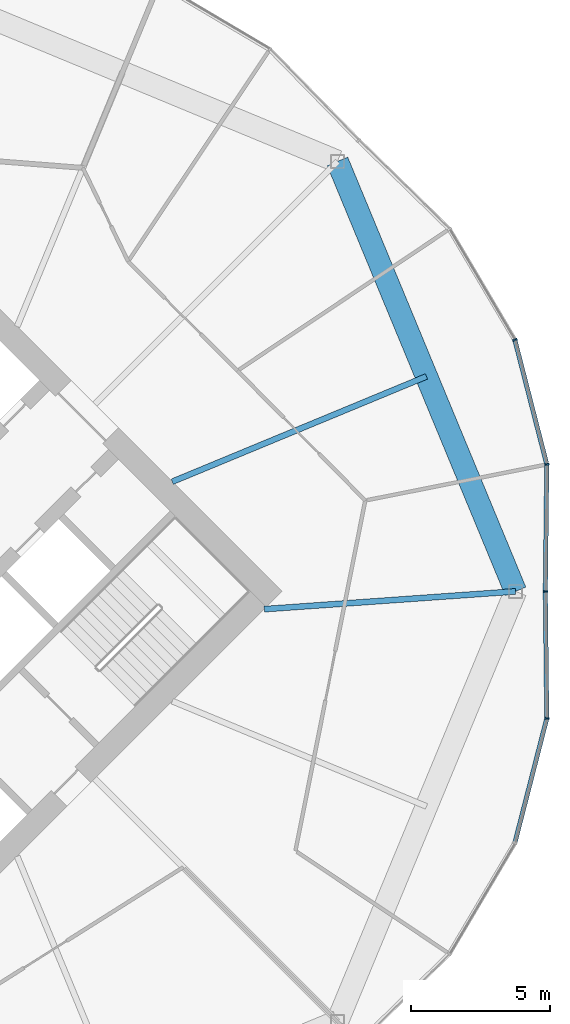
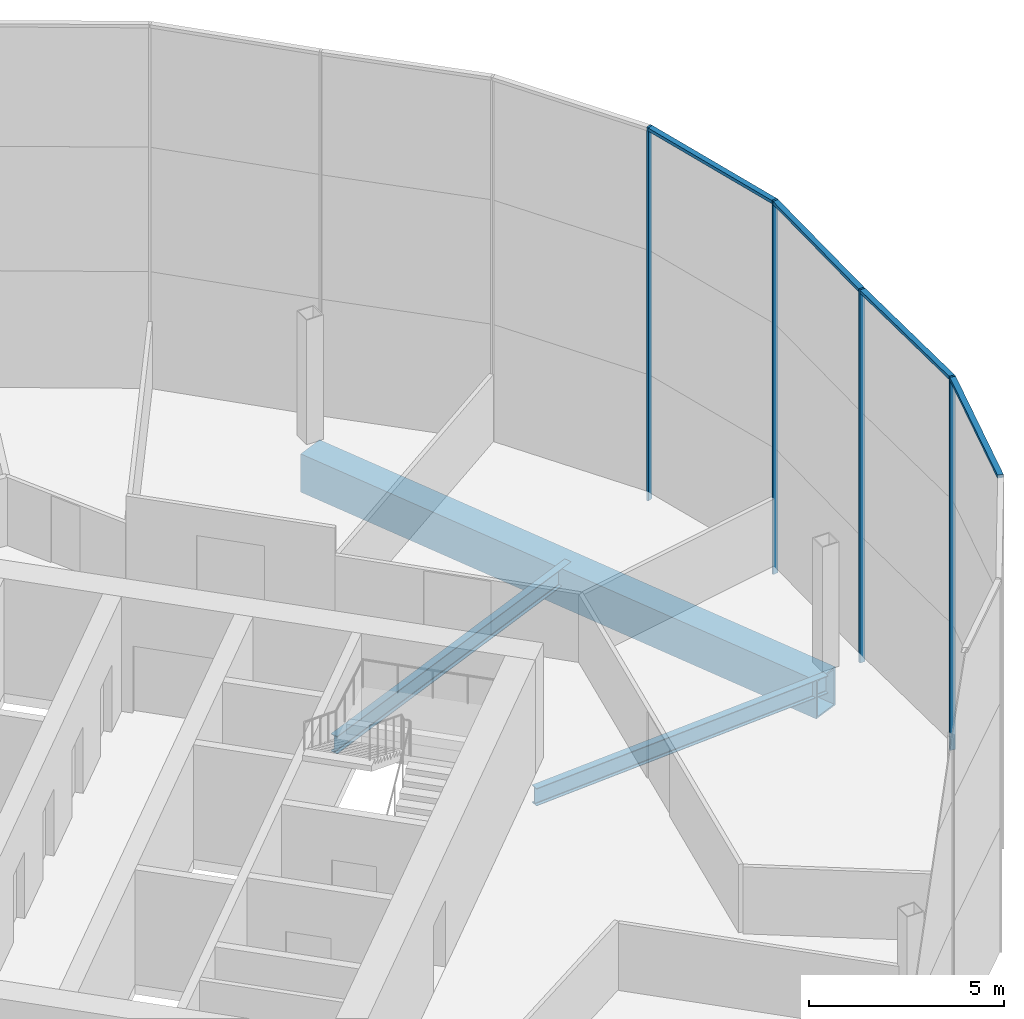
# One storey, part 13 of 25: 8 members, 3 beams, 2 elements without a shape of their own.
"""IFC4 building model written with IfcOpenShell, lengths in metres."""

import ifcopenshell
import ifcopenshell.guid

model = None  # the IFC model being written
_history = None  # IfcOwnerHistory: only IFC2X3 demands one
_inside = {}  # id of a spatial element -> (the spatial element, [elements in it])
_under = {}  # id of a project, library or spatial element -> (it, [spatial elements below it])
_declared = {}  # id of a project -> (the project, [libraries it declares])
_typed = {}  # id of a type object -> (the type object, [elements of that type])
_made_of = {}  # id of a material, layer set ... -> (it, [elements and type objects made of it])


def new_model(schema):
    """Start an empty IFC model of exactly this schema.

    Asked for "IFC4X3", IfcOpenShell would pick the latest addendum, in which some entities
    have other attributes; the version numbers below select the first issue.
    IFC2X3 requires an IfcOwnerHistory on every rooted entity: one is made here for all.
    """
    global model, _history
    if schema == "IFC4X3":
        model = ifcopenshell.file(schema_version=(4, 3, 0, 0))
    else:
        model = ifcopenshell.file(schema=schema)
    _inside.clear()
    _under.clear()
    _declared.clear()
    _typed.clear()
    _made_of.clear()
    _history = None
    if model.schema == "IFC2X3":
        org = make("IfcOrganization", Name="unknown")
        user = make(
            "IfcPersonAndOrganization",
            ThePerson=make("IfcPerson", FamilyName="unknown"),
            TheOrganization=org,
        )
        app = make(
            "IfcApplication",
            ApplicationDeveloper=org,
            Version="unknown",
            ApplicationFullName="unknown",
            ApplicationIdentifier="unknown",
        )
        _history = make(
            "IfcOwnerHistory",
            OwningUser=user,
            OwningApplication=app,
            ChangeAction="ADDED",
            CreationDate=0,
        )
    return model


def make(cls, **values):
    """One entity of the class cls with the attributes given. An attribute that is None is left unset."""
    return model.create_entity(
        cls, **{name: value for name, value in values.items() if value is not None}
    )


def rooted(cls, **values):
    """An entity with a GlobalId (a new one), such as an element, a storey or a relation."""
    return make(cls, GlobalId=ifcopenshell.guid.new(), OwnerHistory=_history, **values)


def si_unit(unit_type, name, prefix=None):
    """IfcSIUnit, for example si_unit("LENGTHUNIT", "METRE", prefix="MILLI")."""
    return make("IfcSIUnit", UnitType=unit_type, Prefix=prefix, Name=name)


def assignment(units):
    """IfcUnitAssignment: the units of a project."""
    return None if units is None else make("IfcUnitAssignment", Units=units)


def point(xyz):
    """IfcCartesianPoint."""
    return None if xyz is None else make("IfcCartesianPoint", Coordinates=xyz)


def direction(xyz):
    """IfcDirection."""
    return None if xyz is None else make("IfcDirection", DirectionRatios=xyz)


def frame(location, z_axis=None, x_axis=None):
    """IfcAxis2Placement3D, a coordinate frame: its origin and axes. An axis left out is left unset."""
    return make(
        "IfcAxis2Placement3D",
        Location=point(location),
        Axis=direction(z_axis),
        RefDirection=direction(x_axis),
    )


def frame_2d(location, x_axis=None):
    """IfcAxis2Placement2D, a coordinate frame in the plane: its origin and x axis."""
    return make(
        "IfcAxis2Placement2D", Location=point(location), RefDirection=direction(x_axis)
    )


def origin():
    """The frame at (0, 0, 0) with its axes left unset."""
    return frame((0.0, 0.0, 0.0))


def origin_2d():
    """The frame at (0, 0) in the plane with its x axis left unset."""
    return frame_2d((0.0, 0.0))


def place(relative_to, where):
    """IfcLocalPlacement: puts the frame where relative to a parent placement (None: the world)."""
    return make(
        "IfcLocalPlacement", PlacementRelTo=relative_to, RelativePlacement=where
    )


def context(
    kind, dimensions, precision=None, world=None, true_north=None, identifier=None
):
    """IfcGeometricRepresentationContext, for example the 3D "Model" context."""
    return make(
        "IfcGeometricRepresentationContext",
        ContextIdentifier=identifier,
        ContextType=kind,
        CoordinateSpaceDimension=dimensions,
        Precision=precision,
        WorldCoordinateSystem=world,
        TrueNorth=true_north,
    )


def subcontext(parent, identifier, kind, view, scale=None):
    """IfcGeometricRepresentationSubContext, for example "Body" below "Model"."""
    return make(
        "IfcGeometricRepresentationSubContext",
        ContextIdentifier=identifier,
        ContextType=kind,
        ParentContext=parent,
        TargetScale=scale,
        TargetView=view,
    )


def project(units=None, contexts=None):
    """IfcProject with its units and contexts."""
    return rooted(
        "IfcProject",
        Name="project",
        RepresentationContexts=contexts,
        UnitsInContext=assignment(units),
    )


def spatial(cls, under=None, at=None, **own):
    """A site, building, storey or space (cls), placed at a placement, below another one or the project."""
    s = rooted(cls, ObjectPlacement=at, **own)
    if under is not None:
        _under.setdefault(under.id(), (under, []))[1].append(s)
    return s


def profile(cls, at=None, kind="AREA", **sizes):
    """A parametric profile (cls). Its sizes go by their IFC names, for example OverallWidth=200.0."""
    return make(cls, ProfileType=kind, Position=at, **sizes)


def rectangle(**sizes):
    """IfcRectangleProfileDef."""
    return profile("IfcRectangleProfileDef", **sizes)


def hollow_rectangle(**sizes):
    """IfcRectangleHollowProfileDef."""
    return profile("IfcRectangleHollowProfileDef", **sizes)


def i_section(**sizes):
    """IfcIShapeProfileDef."""
    return profile("IfcIShapeProfileDef", **sizes)


def extrude(swept, where, along, depth):
    """IfcExtrudedAreaSolid: the profile swept, set in the frame where, extruded along a direction by depth."""
    return make(
        "IfcExtrudedAreaSolid",
        SweptArea=swept,
        Position=where,
        ExtrudedDirection=direction(along),
        Depth=depth,
    )


def shape(context_of_items, identifier, shape_type, items):
    """IfcShapeRepresentation: the items that make up one representation, for example the "Body"."""
    return make(
        "IfcShapeRepresentation",
        ContextOfItems=context_of_items,
        RepresentationIdentifier=identifier,
        RepresentationType=shape_type,
        Items=items,
    )


def material(Name=None, Category=None):
    """IfcMaterial."""
    return make("IfcMaterial", Name=Name, Category=Category)


def material_profile(
    of_material, cross_section, Name=None, Category=None, Priority=None
):
    """IfcMaterialProfile: a cross section and its material."""
    return make(
        "IfcMaterialProfile",
        Name=Name,
        Material=of_material,
        Profile=cross_section,
        Priority=Priority,
        Category=Category,
    )


def profile_set(profiles, Name=None, composite=None):
    """IfcMaterialProfileSet."""
    return make(
        "IfcMaterialProfileSet",
        Name=Name,
        MaterialProfiles=profiles,
        CompositeProfile=composite,
    )


def made_of(thing, what):
    """Note that an element or type object is made of a material, layer set ...; save() writes the relation."""
    if what is not None:
        _made_of.setdefault(what.id(), (what, []))[1].append(thing)
    return thing


def type_object(cls, material=None, **own):
    """A type object (cls), such as IfcWallType, which elements share."""
    return made_of(rooted(cls, **own), material)


def element(
    cls,
    number,
    at=None,
    inside=None,
    cuts=None,
    type_object=None,
    material=None,
    context=None,
    identifier="Body",
    shape_type=None,
    held_by="IfcProductDefinitionShape",
    body=None,
    shapes=None,
    **own,
):
    """One element of the class cls, such as IfcWall. Its Tag is "e" and its number.

    at: its placement. inside: the storey or other place that contains it. cuts: it is an
    opening in that element (IfcRelVoidsElement). A single representation is given by context,
    identifier, shape_type and body (its items); several are given by shapes. held_by: the class
    of the entity that holds the representations. save() writes the other relations.
    """
    e = rooted(cls, Tag="e%d" % number, ObjectPlacement=at, **own)
    if body is not None:
        shapes = [shape(context, identifier, shape_type, body)]
    if shapes is not None:
        e.Representation = make(held_by, Representations=shapes)
    if inside is not None:
        _inside.setdefault(inside.id(), (inside, []))[1].append(e)
    if cuts is not None:
        rooted(
            "IfcRelVoidsElement", RelatingBuildingElement=cuts, RelatedOpeningElement=e
        )
    if type_object is not None:
        _typed.setdefault(type_object.id(), (type_object, []))[1].append(e)
    return made_of(e, material)


def aggregate(whole, parts):
    """IfcRelAggregates: a whole, such as a stair, and the parts it consists of."""
    return rooted("IfcRelAggregates", RelatingObject=whole, RelatedObjects=parts)


def save(model, path):
    """Write the relations noted so far, then the file.

    IfcRelAggregates (storeys below a building ...), IfcRelContainedInSpatialStructure (elements
    in a storey), IfcRelDefinesByType, IfcRelAssociatesMaterial and IfcRelDeclares: one each for
    every whole, place, type object, material and project.
    """
    for whole, parts in _under.values():
        aggregate(whole, parts)
    for where, things in _inside.values():
        rooted(
            "IfcRelContainedInSpatialStructure",
            RelatedElements=things,
            RelatingStructure=where,
        )
    for kind, things in _typed.values():
        rooted("IfcRelDefinesByType", RelatedObjects=things, RelatingType=kind)
    for what, things in _made_of.values():
        rooted("IfcRelAssociatesMaterial", RelatedObjects=things, RelatingMaterial=what)
    for by, libraries in _declared.values():
        rooted("IfcRelDeclares", RelatingContext=by, RelatedDefinitions=libraries)
    model.write(path)


model = new_model("IFC4")

# Units and contexts
model_context = context("Model", 3, precision=1e-05, world=origin(), true_north=direction((0.0, 1.0)))
body_context = subcontext(model_context, "Body", "Model", "MODEL_VIEW")
ifc_project = project(units=[si_unit("LENGTHUNIT", "METRE"), si_unit("AREAUNIT", "SQUARE_METRE"), si_unit("VOLUMEUNIT", "CUBIC_METRE"), si_unit("PLANEANGLEUNIT", "RADIAN"), si_unit("MASSUNIT", "GRAM", prefix="KILO")], contexts=[model_context])

# Site, building, storey
site_placement = place(None, origin())
site = spatial("IfcSite", under=ifc_project, at=site_placement, CompositionType="ELEMENT")
building_placement = place(site_placement, origin())
building = spatial("IfcBuilding", under=site, at=building_placement, Name="Ogive Gate Towers", CompositionType="ELEMENT")
storey_placement = place(building_placement, frame((0.0, 0.0, 44.10009765625)))
storey = spatial("IfcBuildingStorey", under=building, at=storey_placement, Name="L09", CompositionType="ELEMENT", Elevation=44.10009765625)

# Beams
ifc_material_1 = material(Name="Steel SM460", Category="steel")
ifc_material_profile_1 = material_profile(ifc_material_1, hollow_rectangle(XDim=0.800048828125, YDim=1.199951171875, WallThickness=0.050048828125, at=origin_2d()), Name="BX 1200x800x50")
ifc_profile_set_1 = profile_set([ifc_material_profile_1], Name="Steel SM460")
beam_type_1 = type_object("IfcBeamType", Name="Edge girder BX 1200x800x50", PredefinedType="BEAM", material=ifc_profile_set_1)
beam_1_placement = place(storey_placement, frame((57.81005859375, 0.0, -0.900146484375), z_axis=(-0.382677733282, 0.923881893128, 0.0), x_axis=(-0.923881893128, -0.382677733282, 0.0)))
element("IfcBeam", 1, at=beam_1_placement, inside=storey, type_object=beam_type_1, Name="T2/L09/SBM020", PredefinedType="BEAM", context=body_context, shape_type="SweptSolid", body=[
    extrude(hollow_rectangle(XDim=0.800048828125, YDim=1.199951171875, WallThickness=0.050048828125, at=origin_2d()), origin(), (0.0, 0.0, 1.0), 16.692626953125),
])
ifc_material_2 = material(Name="Steel SM355", Category="steel")
ifc_material_profile_2 = material_profile(ifc_material_2, i_section(OverallWidth=0.2099609375, OverallDepth=0.550048828125, WebThickness=0.010986328125, FlangeThickness=0.01708984375, FilletRadius=0.02392578125, at=origin_2d()), Name="IPE 550")
ifc_profile_set_2 = profile_set([ifc_material_profile_2], Name="Steel SM355")
beam_type_2 = type_object("IfcBeamType", Name="Radial floor beam IPE 550", PredefinedType="BEAM", material=ifc_profile_set_2)
beam_2_placement = place(storey_placement, frame((48.798583984375, -0.636474609375, -0.5751953125), z_axis=(0.99751504066, 0.070453840617, 0.0), x_axis=(-0.070453840617, 0.99751504066, 0.0)))
element("IfcBeam", 2, at=beam_2_placement, inside=storey, type_object=beam_type_2, Name="T2/L09/SBM007", PredefinedType="BEAM", context=body_context, shape_type="SweptSolid", body=[
    extrude(i_section(OverallWidth=0.2099609375, OverallDepth=0.550048828125, WebThickness=0.010986328125, FlangeThickness=0.01708984375, FilletRadius=0.02392578125, at=origin_2d()), origin(), (0.0, 0.0, 1.0), 9.033935546875),
])
beam_3_placement = place(storey_placement, frame((45.5, 3.93505859375, -0.5751953125), z_axis=(0.923882333645, 0.38267666976, 0.0), x_axis=(-0.38267666976, 0.923882333645, 0.0)))
element("IfcBeam", 3, at=beam_3_placement, inside=storey, type_object=beam_type_2, Name="T2/L09/SBM008", PredefinedType="BEAM", context=body_context, shape_type="SweptSolid", body=[
    extrude(i_section(OverallWidth=0.2099609375, OverallDepth=0.550048828125, WebThickness=0.010986328125, FlangeThickness=0.01708984375, FilletRadius=0.02392578125, at=origin_2d()), origin(), (0.0, 0.0, 1.0), 9.866943359375),
])

# Curtain wall, members
ifc_material_3 = material(Name="Pale metal aluminium", Category="aluminium")
curtain_wall_type = type_object("IfcCurtainWallType", Name="Tower unitised wall, low zone", PredefinedType="NOTDEFINED", material=ifc_material_3)
curtain_wall_1_placement = place(storey_placement, origin())
curtain_wall_1 = element("IfcCurtainWall", 4, at=curtain_wall_1_placement, inside=storey, type_object=curtain_wall_type, Name="CW1 T2 ECW01", PredefinedType="NOTDEFINED")
ifc_material_profile_3 = material_profile(ifc_material_3, rectangle(XDim=0.159912109375, YDim=0.06005859375, at=origin_2d()), Name="60 x 160 aluminium box")
ifc_profile_set_3 = profile_set([ifc_material_profile_3], Name="Pale metal aluminium")
member_type_1 = type_object("IfcMemberType", Name="Tower unitised wall, low zone mullion 60 x 160", PredefinedType="MULLION", material=ifc_profile_set_3)
member_1_placement = place(storey_placement, frame((58.8798828125, 0.000244140625, -0.300048828125), z_axis=(0.0, 0.0, 1.0), x_axis=(0.99993385595, -0.011501466179, 0.0)))
member_1 = element("IfcMember", 5, at=member_1_placement, type_object=member_type_1, Name="CW1 mullion", PredefinedType="MULLION", context=body_context, shape_type="SweptSolid", body=[
    extrude(rectangle(XDim=0.159912109375, YDim=0.06005859375, at=origin_2d()), origin(), (0.0, 0.0, 1.0), 11.699951171875),
])
member_2_placement = place(storey_placement, frame((58.9326171875, 4.555419921875, -0.300048828125), z_axis=(0.0, 0.0, 1.0), x_axis=(0.992828457767, 0.119547703651, 0.0)))
member_2 = element("IfcMember", 6, at=member_2_placement, type_object=member_type_1, Name="CW1 mullion", PredefinedType="MULLION", context=body_context, shape_type="SweptSolid", body=[
    extrude(rectangle(XDim=0.159912109375, YDim=0.06005859375, at=origin_2d()), origin(), (0.0, 0.0, 1.0), 11.699951171875),
])
member_3_placement = place(storey_placement, frame((57.785888671875, 9.02392578125, -0.300048828125), z_axis=(0.0, 0.0, 1.0), x_axis=(0.923879532511, 0.382683432365, 0.0)))
member_3 = element("IfcMember", 7, at=member_3_placement, type_object=member_type_1, Name="CW1 mullion", PredefinedType="MULLION", context=body_context, shape_type="SweptSolid", body=[
    extrude(rectangle(XDim=0.159912109375, YDim=0.06005859375, at=origin_2d()), origin(), (0.0, 0.0, 1.0), 11.699951171875),
])

# Curtain wall, member
curtain_wall_2_placement = place(storey_placement, origin())
curtain_wall_2 = element("IfcCurtainWall", 8, at=curtain_wall_2_placement, inside=storey, type_object=curtain_wall_type, Name="CW1 T2 ECW08", PredefinedType="NOTDEFINED")
member_4_placement = place(storey_placement, frame((58.9326171875, -4.555419921875, -0.300048828125), z_axis=(0.0, 0.0, 1.0), x_axis=(0.992828457767, -0.119547703651, 0.0)))
member_4 = element("IfcMember", 9, at=member_4_placement, type_object=member_type_1, Name="CW1 mullion", PredefinedType="MULLION", context=body_context, shape_type="SweptSolid", body=[
    extrude(rectangle(XDim=0.159912109375, YDim=0.06005859375, at=origin_2d()), origin(), (0.0, 0.0, 1.0), 11.699951171875),
])

# Member
ifc_material_profile_4 = material_profile(ifc_material_3, rectangle(XDim=0.159912109375, YDim=0.10009765625, at=origin_2d()), Name="100 x 160 aluminium box")
ifc_profile_set_4 = profile_set([ifc_material_profile_4], Name="Pale metal aluminium")
member_type_2 = type_object("IfcMemberType", Name="Tower unitised wall, low zone transom 100 x 160", PredefinedType="USERDEFINED", material=ifc_profile_set_4)
member_5_placement = place(storey_placement, frame((58.88037109375, 0.0302734375, 11.349853515625), z_axis=(0.011507217644, 0.999933789779, 0.0), x_axis=(-0.999933789779, 0.011507217644, 0.0)))
member_5 = element("IfcMember", 10, at=member_5_placement, type_object=member_type_2, Name="CW1 transom", ObjectType="TRANSOM", PredefinedType="USERDEFINED", context=body_context, shape_type="SweptSolid", body=[
    extrude(rectangle(XDim=0.159912109375, YDim=0.10009765625, at=origin_2d()), origin(), (0.0, 0.0, 1.0), 4.497802734375),
])

member_6_placement = place(storey_placement, frame((58.925537109375, 4.581787109375, 11.349853515625), z_axis=(-0.248528665272, 0.968624541573, 0.0), x_axis=(-0.968624541573, -0.248528665272, 0.0)))
member_6 = element("IfcMember", 11, at=member_6_placement, type_object=member_type_2, Name="CW1 transom", ObjectType="TRANSOM", PredefinedType="USERDEFINED", context=body_context, shape_type="SweptSolid", body=[
    extrude(rectangle(XDim=0.159912109375, YDim=0.10009765625, at=origin_2d()), origin(), (0.0, 0.0, 1.0), 4.55908203125),
])

aggregate(curtain_wall_1, [member_1, member_2, member_5, member_3, member_6])

member_7_placement = place(storey_placement, frame((57.79248046875, -8.997802734375, 11.349853515625), z_axis=(0.248528665272, 0.968624541573, 0.0), x_axis=(-0.968624541573, 0.248528665272, 0.0)))
member_7 = element("IfcMember", 12, at=member_7_placement, type_object=member_type_2, Name="CW1 transom", ObjectType="TRANSOM", PredefinedType="USERDEFINED", context=body_context, shape_type="SweptSolid", body=[
    extrude(rectangle(XDim=0.159912109375, YDim=0.10009765625, at=origin_2d()), origin(), (0.0, 0.0, 1.0), 4.55908203125),
])

member_8_placement = place(storey_placement, frame((58.93212890625, -4.52783203125, 11.349853515625), z_axis=(-0.011507217644, 0.999933789779, 0.0), x_axis=(-0.999933789779, -0.011507217644, 0.0)))
member_8 = element("IfcMember", 13, at=member_8_placement, type_object=member_type_2, Name="CW1 transom", ObjectType="TRANSOM", PredefinedType="USERDEFINED", context=body_context, shape_type="SweptSolid", body=[
    extrude(rectangle(XDim=0.159912109375, YDim=0.10009765625, at=origin_2d()), origin(), (0.0, 0.0, 1.0), 4.497802734375),
])

aggregate(curtain_wall_2, [member_4, member_7, member_8])

save(model, "model.ifc")
